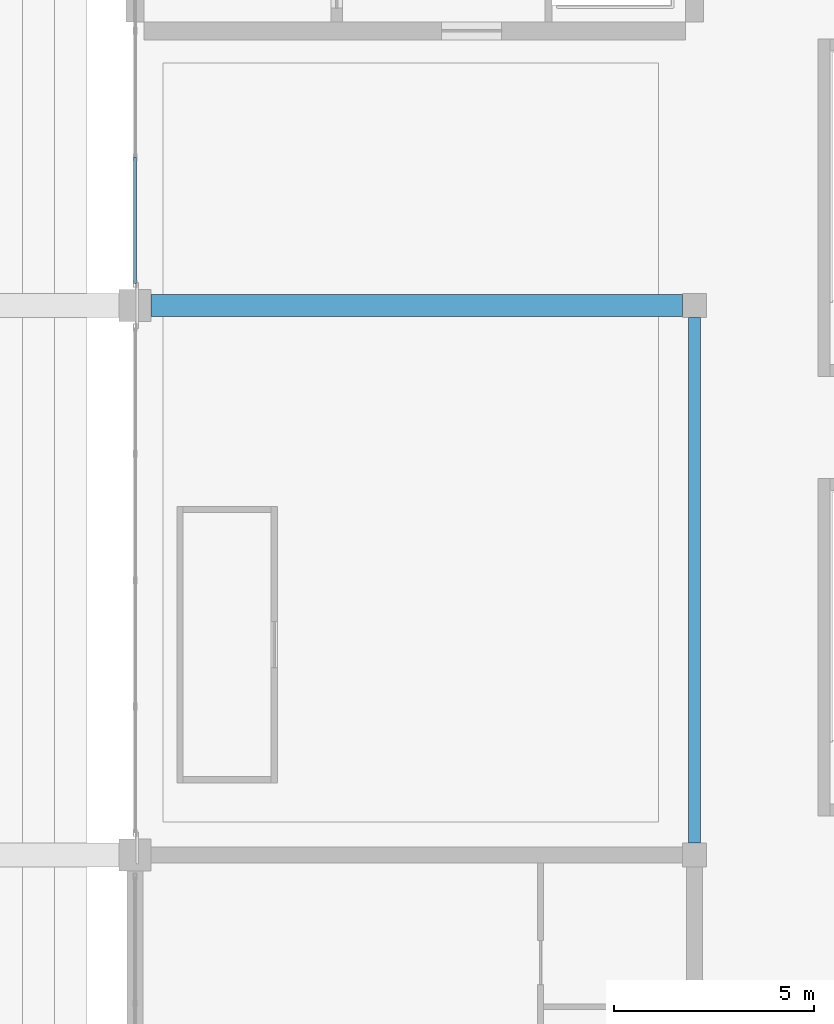
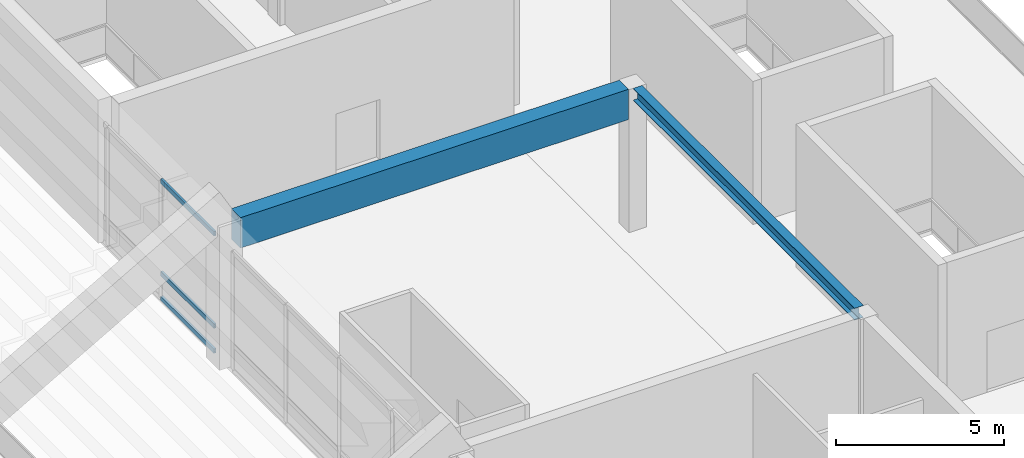
# One storey, part 41 of 90: 3 members, 2 beams, 1 element without a shape of its own.
"""IFC4 building model written with IfcOpenShell, lengths in metres."""

from ifc_helpers import new_model, si_unit, direction, frame, origin, origin_2d, place, context, subcontext, project, spatial, rectangle, hollow_rectangle, i_section, extrude, material, material_profile, profile_set, type_object, element, aggregate, save


model = new_model("IFC4")

# Units and contexts
model_context = context("Model", 3, precision=1e-05, world=origin(), true_north=direction((0.0, 1.0)))
body_context = subcontext(model_context, "Body", "Model", "MODEL_VIEW")
ifc_project = project(units=[si_unit("LENGTHUNIT", "METRE"), si_unit("AREAUNIT", "SQUARE_METRE"), si_unit("VOLUMEUNIT", "CUBIC_METRE"), si_unit("PLANEANGLEUNIT", "RADIAN"), si_unit("MASSUNIT", "GRAM", prefix="KILO")], contexts=[model_context])

# Site, building, storey
site_placement = place(None, origin())
site = spatial("IfcSite", under=ifc_project, at=site_placement, CompositionType="ELEMENT")
building_placement = place(site_placement, origin())
building = spatial("IfcBuilding", under=site, at=building_placement, Name="Linyun Crest Stadium", CompositionType="ELEMENT")
storey_placement = place(building_placement, frame((0.0, 0.0, 21.0)))
storey = spatial("IfcBuildingStorey", under=building, at=storey_placement, Name="L05", CompositionType="ELEMENT", Elevation=21.0)

# Beams
ifc_material_1 = material(Name="Steel Q355C", Category="steel")
ifc_material_profile_1 = material_profile(ifc_material_1, i_section(OverallWidth=0.300048828125, OverallDepth=0.43994140625, WebThickness=0.010986328125, FlangeThickness=0.01806640625, at=origin_2d()), Name="HM 440x300")
ifc_profile_set_1 = profile_set([ifc_material_profile_1], Name="Steel Q355C")
beam_type_1 = type_object("IfcBeamType", Name="B07", PredefinedType="BEAM", material=ifc_profile_set_1)
beam_1_placement = place(storey_placement, frame((84.0, 16.175048828125, 4.965087890625), z_axis=(0.0, 1.0, 0.0), x_axis=(-1.0, 0.0, 0.0)))
element("IfcBeam", 1, at=beam_1_placement, inside=storey, type_object=beam_type_1, Name="Frame beam B07 L05 734", PredefinedType="BEAM", context=body_context, shape_type="SweptSolid", body=[
    extrude(i_section(OverallWidth=0.300048828125, OverallDepth=0.43994140625, WebThickness=0.010986328125, FlangeThickness=0.01806640625, at=origin_2d()), origin(), (0.0, 0.0, 1.0), 13.14990234375),
])
ifc_material_2 = material(Name="Concrete C50", Category="concrete")
ifc_material_profile_2 = material_profile(ifc_material_2, rectangle(XDim=0.550048828125, YDim=1.10009765625, at=origin_2d()), Name="RCB 1100x550")
ifc_profile_set_2 = profile_set([ifc_material_profile_2], Name="Concrete C50")
beam_type_2 = type_object("IfcBeamType", Name="TB01", PredefinedType="USERDEFINED", material=ifc_profile_set_2)
beam_2_placement = place(storey_placement, frame((70.39990234375, 29.625, 4.635009765625), z_axis=(1.0, 0.0, 0.0), x_axis=(0.0, 1.0, 0.0)))
element("IfcBeam", 2, at=beam_2_placement, inside=storey, type_object=beam_type_2, Name="Frame beam TB01 L05 730", ObjectType="GIRDER", PredefinedType="USERDEFINED", context=body_context, shape_type="SweptSolid", body=[
    extrude(rectangle(XDim=0.550048828125, YDim=1.10009765625, at=origin_2d()), origin(), (0.0, 0.0, 1.0), 13.300048828125),
])

# Curtain wall, members
ifc_material_3 = material(Name="Verdigris steel and low-E curtain wall assembly", Category="steel")
curtain_wall_type = type_object("IfcCurtainWallType", Name="MCW01", PredefinedType="NOTDEFINED", material=ifc_material_3)
curtain_wall_placement = place(storey_placement, origin())
curtain_wall = element("IfcCurtainWall", 3, at=curtain_wall_placement, inside=storey, type_object=curtain_wall_type, Name="CWR-126", PredefinedType="NOTDEFINED")
ifc_material_4 = material(Name="Aluminium thermally broken transom", Category="aluminium")
ifc_material_profile_3 = material_profile(ifc_material_4, hollow_rectangle(XDim=0.080078125, YDim=0.159912109375, WallThickness=0.006103515625, at=origin_2d()), Name="RHS 160x80x6")
ifc_profile_set_3 = profile_set([ifc_material_profile_3], Name="Aluminium thermally broken transom")
member_type = type_object("IfcMemberType", Name="TR01", PredefinedType="USERDEFINED", material=ifc_profile_set_3)
member_1_placement = place(storey_placement, frame((70.0, 30.175048828125, 0.0), z_axis=(0.0, 1.0, 0.0), x_axis=(-1.0, 0.0, 0.0)))
member_1 = element("IfcMember", 4, at=member_1_placement, type_object=member_type, Name="CWR-126 transom 1.1", ObjectType="TRANSOM", PredefinedType="USERDEFINED", context=body_context, shape_type="SweptSolid", body=[
    extrude(hollow_rectangle(XDim=0.080078125, YDim=0.159912109375, WallThickness=0.006103515625, at=origin_2d()), origin(), (0.0, 0.0, 1.0), 3.162841796875),
])
member_2_placement = place(storey_placement, frame((70.0, 30.175048828125, 0.89990234375), z_axis=(0.0, 1.0, 0.0), x_axis=(-1.0, 0.0, 0.0)))
member_2 = element("IfcMember", 5, at=member_2_placement, type_object=member_type, Name="CWR-126 transom 1.2", ObjectType="TRANSOM", PredefinedType="USERDEFINED", context=body_context, shape_type="SweptSolid", body=[
    extrude(hollow_rectangle(XDim=0.080078125, YDim=0.159912109375, WallThickness=0.006103515625, at=origin_2d()), origin(), (0.0, 0.0, 1.0), 3.162841796875),
])
member_3_placement = place(storey_placement, frame((70.0, 30.175048828125, 4.25), z_axis=(0.0, 1.0, 0.0), x_axis=(-1.0, 0.0, 0.0)))
member_3 = element("IfcMember", 6, at=member_3_placement, type_object=member_type, Name="CWR-126 transom 1.3", ObjectType="TRANSOM", PredefinedType="USERDEFINED", context=body_context, shape_type="SweptSolid", body=[
    extrude(hollow_rectangle(XDim=0.080078125, YDim=0.159912109375, WallThickness=0.006103515625, at=origin_2d()), origin(), (0.0, 0.0, 1.0), 3.162841796875),
])
aggregate(curtain_wall, [member_1, member_2, member_3])

save(model, "model.ifc")
